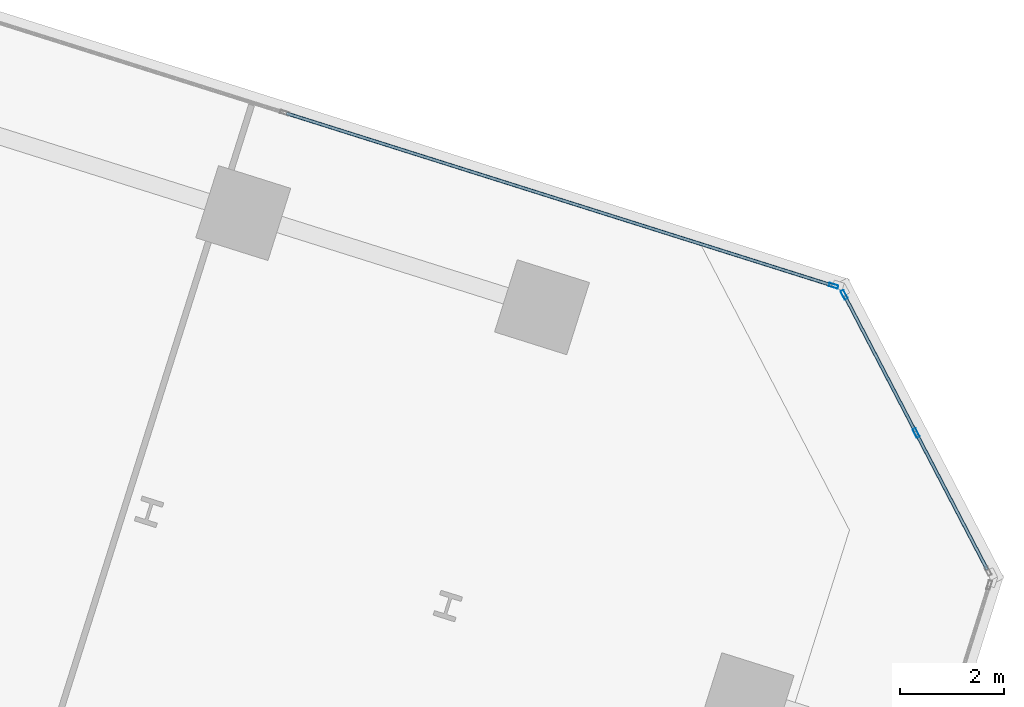
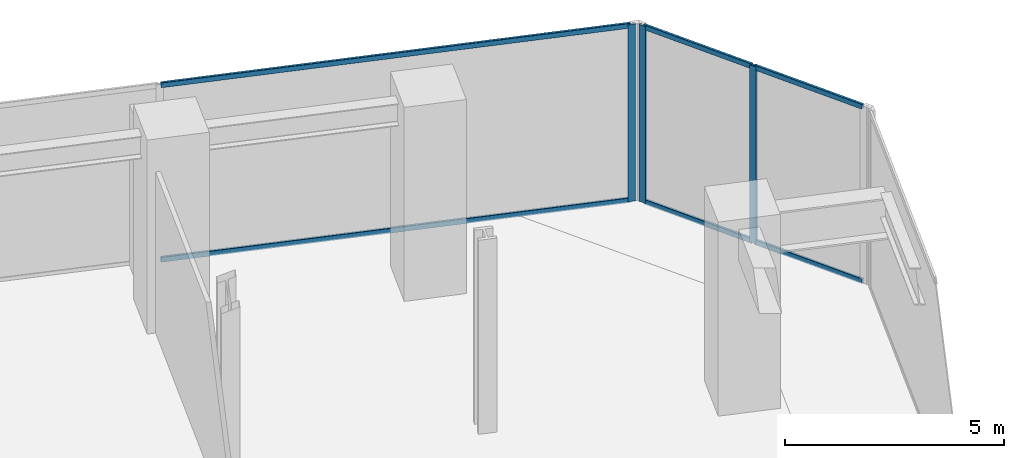
# One storey, part 12 of 28: 9 members, 2 elements without a shape of their own.
"""IFC4 building model written with IfcOpenShell, lengths in metres."""

from ifc_helpers import new_model, si_unit, direction, frame, origin, origin_2d, place, context, subcontext, project, spatial, hollow_rectangle, extrude, source, transform, mapped, material, material_profile, profile_set, type_object, element, aggregate, save


model = new_model("IFC4")

# Units and contexts
model_context = context("Model", 3, precision=1e-05, world=origin(), true_north=direction((0.0, 1.0)))
body_context = subcontext(model_context, "Body", "Model", "MODEL_VIEW")
ifc_project = project(units=[si_unit("LENGTHUNIT", "METRE"), si_unit("AREAUNIT", "SQUARE_METRE"), si_unit("VOLUMEUNIT", "CUBIC_METRE"), si_unit("PLANEANGLEUNIT", "RADIAN"), si_unit("MASSUNIT", "GRAM", prefix="KILO")], contexts=[model_context])

# Site, building, storey
site_placement = place(None, origin())
site = spatial("IfcSite", under=ifc_project, at=site_placement, CompositionType="ELEMENT")
building_placement = place(site_placement, origin())
building = spatial("IfcBuilding", under=site, at=building_placement, Name="Torre Montelarca", CompositionType="ELEMENT")
storey_placement = place(building_placement, frame((0.0, 0.0, 116.800048828125)))
storey = spatial("IfcBuildingStorey", under=building, at=storey_placement, Name="L26", CompositionType="ELEMENT", Elevation=116.800048828125)

# Curtain wall, members
ifc_material_1 = material(Name="Insulated low-E laminated glass", Category="glass")
curtain_wall_type = type_object("IfcCurtainWallType", Name="CW-SYS-Z1", PredefinedType="USERDEFINED", material=ifc_material_1)
curtain_wall_1_placement = place(storey_placement, origin())
curtain_wall_1 = element("IfcCurtainWall", 1, at=curtain_wall_1_placement, inside=storey, type_object=curtain_wall_type, Name="L26 Curtain Wall Run CW-T3-L26-E07-B1", ObjectType="UNITISED GLAZING", PredefinedType="USERDEFINED")
ifc_material_2 = material(Name="Anodised aluminium AA 6063-T6", Category="aluminium")
ifc_material_profile_1 = material_profile(ifc_material_2, hollow_rectangle(XDim=0.06494140625, YDim=0.139892578125, WallThickness=0.00390625, InnerFilletRadius=0.00390625, OuterFilletRadius=0.008056640625, at=origin_2d()), Name="ALU65X140X4", Category="aluminium")
ifc_profile_set_1 = profile_set([ifc_material_profile_1], Name="Anodised aluminium AA 6063-T6")
member_type_1 = type_object("IfcMemberType", Name="CWT-ALU140", PredefinedType="USERDEFINED", material=ifc_profile_set_1)
shared_shape_1 = source(origin(), body_context, "Body", "SweptSolid", [
    extrude(hollow_rectangle(XDim=0.06494140625, YDim=0.139892578125, WallThickness=0.00390625, InnerFilletRadius=0.00390625, OuterFilletRadius=0.008056640625, at=origin_2d()), origin(), (0.0, 0.0, 1.0), 2.9189453125),
])
member_1_placement = place(storey_placement, frame((63.856201171875, 33.19970703125, 0.032470703125), z_axis=(-0.461708234154, 0.887031852029, 0.0), x_axis=(-0.887031852029, -0.461708234154, 0.0)))
member_1 = element("IfcMember", 2, at=member_1_placement, type_object=member_type_1, Name="CW transom 2.1", ObjectType="TRANSOM", PredefinedType="USERDEFINED", context=body_context, shape_type="MappedRepresentation", body=[
    mapped(shared_shape_1, transform((0.0, 0.0, 0.0), scale=1.0)),
])
member_2_placement = place(storey_placement, frame((63.856201171875, 33.19970703125, 4.887451171875), z_axis=(-0.461708234154, 0.887031852029, 0.0), x_axis=(-0.887031852029, -0.461708234154, 0.0)))
member_2 = element("IfcMember", 3, at=member_2_placement, type_object=member_type_1, Name="CW transom 2.2", ObjectType="TRANSOM", PredefinedType="USERDEFINED", context=body_context, shape_type="MappedRepresentation", body=[
    mapped(shared_shape_1, transform((0.0, 0.0, 0.0), scale=1.0)),
])
shared_shape_2 = source(origin(), body_context, "Body", "SweptSolid", [
    extrude(hollow_rectangle(XDim=0.06494140625, YDim=0.139892578125, WallThickness=0.00390625, InnerFilletRadius=0.00390625, OuterFilletRadius=0.008056640625, at=origin_2d()), origin(), (0.0, 0.0, 1.0), 2.918701171875),
])
member_3_placement = place(storey_placement, frame((65.23388671875, 30.55322265625, 0.032470703125), z_axis=(-0.461742492251, 0.887014019534, 0.0), x_axis=(-0.887014019534, -0.461742492251, 0.0)))
member_3 = element("IfcMember", 4, at=member_3_placement, type_object=member_type_1, Name="CW transom 1.1", ObjectType="TRANSOM", PredefinedType="USERDEFINED", context=body_context, shape_type="MappedRepresentation", body=[
    mapped(shared_shape_2, transform((0.0, 0.0, 0.0), scale=1.0)),
])
member_4_placement = place(storey_placement, frame((65.23388671875, 30.55322265625, 4.887451171875), z_axis=(-0.461742492251, 0.887014019534, 0.0), x_axis=(-0.887014019534, -0.461742492251, 0.0)))
member_4 = element("IfcMember", 5, at=member_4_placement, type_object=member_type_1, Name="CW transom 1.2", ObjectType="TRANSOM", PredefinedType="USERDEFINED", context=body_context, shape_type="MappedRepresentation", body=[
    mapped(shared_shape_2, transform((0.0, 0.0, 0.0), scale=1.0)),
])

curtain_wall_2_placement = place(storey_placement, origin())
curtain_wall_2 = element("IfcCurtainWall", 6, at=curtain_wall_2_placement, inside=storey, type_object=curtain_wall_type, Name="L26 Curtain Wall Run CW-T3-L26-E08-B1", ObjectType="UNITISED GLAZING", PredefinedType="USERDEFINED")
shared_shape_3 = source(origin(), body_context, "Body", "SweptSolid", [
    extrude(hollow_rectangle(XDim=0.06494140625, YDim=0.139892578125, WallThickness=0.00390625, InnerFilletRadius=0.00390625, OuterFilletRadius=0.008056640625, at=origin_2d()), origin(), (0.0, 0.0, 1.0), 10.95458984375),
])
member_5_placement = place(storey_placement, frame((62.258056640625, 35.9990234375, 0.032470703125), z_axis=(-0.95372066466, 0.300694020227, 0.0), x_axis=(-0.300694020227, -0.95372066466, 0.0)))
member_5 = element("IfcMember", 7, at=member_5_placement, type_object=member_type_1, Name="CW transom 1.1", ObjectType="TRANSOM", PredefinedType="USERDEFINED", context=body_context, shape_type="MappedRepresentation", body=[
    mapped(shared_shape_3, transform((0.0, 0.0, 0.0), scale=1.0)),
])
member_6_placement = place(storey_placement, frame((62.258056640625, 35.9990234375, 4.887451171875), z_axis=(-0.95372066466, 0.300694020227, 0.0), x_axis=(-0.300694020227, -0.95372066466, 0.0)))
member_6 = element("IfcMember", 8, at=member_6_placement, type_object=member_type_1, Name="CW transom 1.2", ObjectType="TRANSOM", PredefinedType="USERDEFINED", context=body_context, shape_type="MappedRepresentation", body=[
    mapped(shared_shape_3, transform((0.0, 0.0, 0.0), scale=1.0)),
])

# Member
ifc_material_profile_2 = material_profile(ifc_material_2, hollow_rectangle(XDim=0.06494140625, YDim=0.179931640625, WallThickness=0.00390625, InnerFilletRadius=0.00390625, OuterFilletRadius=0.008056640625, at=origin_2d()), Name="ALU65X180X4", Category="aluminium")
ifc_profile_set_2 = profile_set([ifc_material_profile_2], Name="Anodised aluminium AA 6063-T6")
member_type_2 = type_object("IfcMemberType", Name="CWM-ALU180", PredefinedType="MULLION", material=ifc_profile_set_2)
shared_shape_4 = source(origin(), body_context, "Body", "SweptSolid", [
    extrude(hollow_rectangle(XDim=0.06494140625, YDim=0.179931640625, WallThickness=0.00390625, InnerFilletRadius=0.00390625, OuterFilletRadius=0.008056640625, at=origin_2d()), origin(), (0.0, 0.0, 1.0), 4.919921875),
])
member_7_placement = place(storey_placement, frame((63.871337890625, 33.1708984375, 0.0), z_axis=(0.0, 0.0, 1.0), x_axis=(-0.887014239788, -0.461742069139, 0.0)))
member_7 = element("IfcMember", 9, at=member_7_placement, type_object=member_type_2, Name="CW mullion 2", PredefinedType="MULLION", context=body_context, shape_type="MappedRepresentation", body=[
    mapped(shared_shape_4, transform((0.0, 0.0, 0.0), scale=1.0)),
])

member_8_placement = place(storey_placement, frame((62.49365234375, 35.817626953125, 0.0), z_axis=(0.0, 0.0, 1.0), x_axis=(-0.887014239788, -0.461742069139, 0.0)))
member_8 = element("IfcMember", 10, at=member_8_placement, type_object=member_type_2, Name="CW mullion 3", PredefinedType="MULLION", context=body_context, shape_type="MappedRepresentation", body=[
    mapped(shared_shape_4, transform((0.0, 0.0, 0.0), scale=1.0)),
])

aggregate(curtain_wall_1, [member_7, member_8, member_3, member_4, member_1, member_2])

member_9_placement = place(storey_placement, frame((62.2890625, 35.9892578125, 0.0), z_axis=(0.0, 0.0, 1.0), x_axis=(-0.300702638073, -0.953717947538, 0.0)))
member_9 = element("IfcMember", 11, at=member_9_placement, type_object=member_type_2, Name="CW mullion 1", PredefinedType="MULLION", context=body_context, shape_type="MappedRepresentation", body=[
    mapped(shared_shape_4, transform((0.0, 0.0, 0.0), scale=1.0)),
])

aggregate(curtain_wall_2, [member_9, member_5, member_6])

save(model, "model.ifc")
